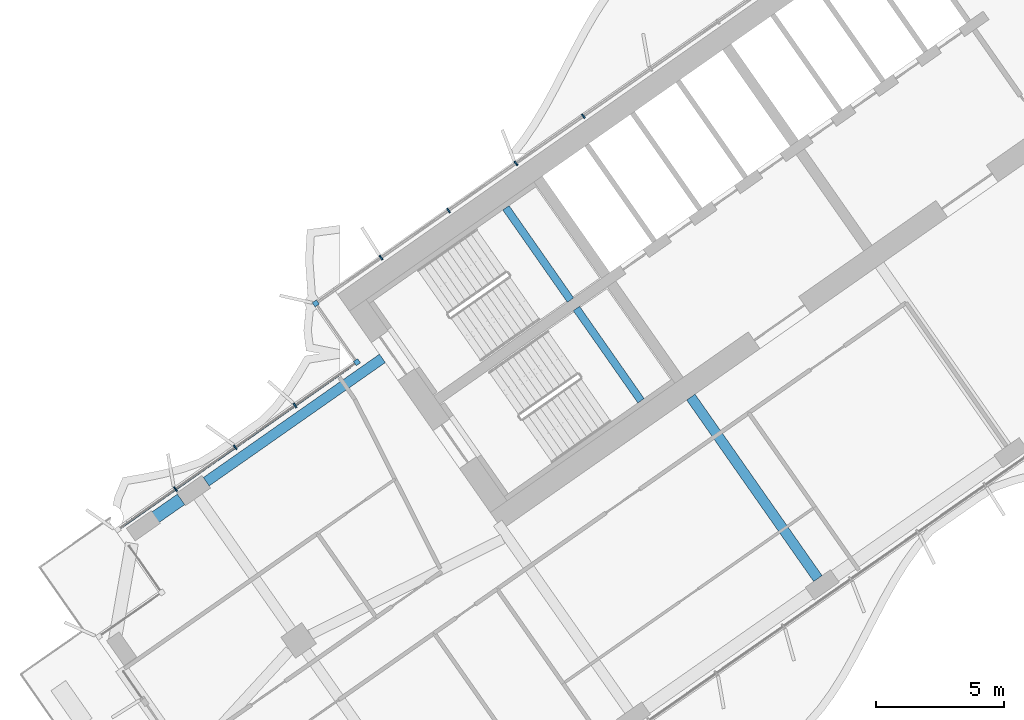
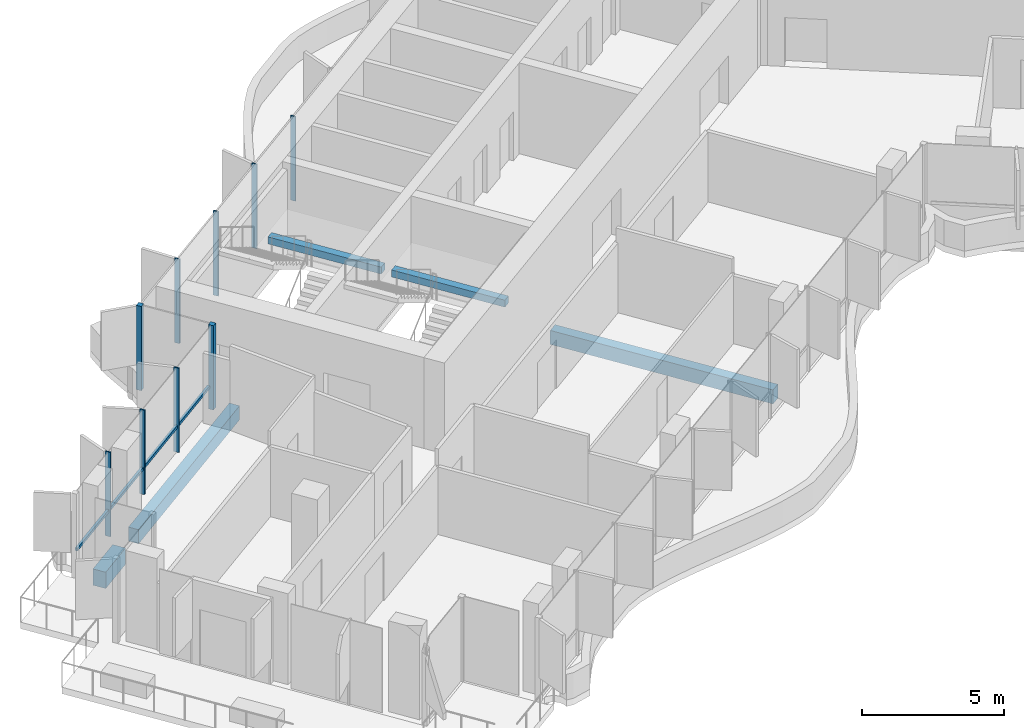
# One storey, part 4 of 24: 10 members, 5 beams, 2 elements without a shape of their own.
"""IFC4 building model written with IfcOpenShell, lengths in metres."""

from ifc_helpers import new_model, si_unit, direction, frame, origin, origin_2d, place, context, subcontext, project, spatial, rectangle, extrude, material, material_profile, profile_set, type_object, element, aggregate, save


model = new_model("IFC4")

# Units and contexts
model_context = context("Model", 3, precision=1e-05, world=origin(), true_north=direction((0.0, 1.0)))
body_context = subcontext(model_context, "Body", "Model", "MODEL_VIEW")
ifc_project = project(units=[si_unit("LENGTHUNIT", "METRE"), si_unit("AREAUNIT", "SQUARE_METRE"), si_unit("VOLUMEUNIT", "CUBIC_METRE"), si_unit("PLANEANGLEUNIT", "RADIAN"), si_unit("MASSUNIT", "GRAM", prefix="KILO")], contexts=[model_context])

# Site, building, storey
site_placement = place(None, origin())
site = spatial("IfcSite", under=ifc_project, at=site_placement, CompositionType="ELEMENT")
building_placement = place(site_placement, origin())
building = spatial("IfcBuilding", under=site, at=building_placement, Name="Tel Ilan Convention Tower", CompositionType="ELEMENT")
storey_placement = place(building_placement, frame((0.0, 0.0, 167.10009765625)))
storey = spatial("IfcBuildingStorey", under=building, at=storey_placement, Name="L38", CompositionType="ELEMENT", Elevation=167.10009765625)

# Beams
ifc_material_1 = material(Name="Concrete C40/50", Category="concrete")
ifc_material_profile_1 = material_profile(ifc_material_1, rectangle(XDim=0.39990234375, YDim=0.60009765625, at=origin_2d()), Name="RC 400x600")
ifc_profile_set_1 = profile_set([ifc_material_profile_1], Name="Concrete C40/50")
beam_type_1 = type_object("IfcBeamType", Name="Beam RC 400x600 Concrete C40/50", PredefinedType="BEAM", material=ifc_profile_set_1)
beam_1_placement = place(storey_placement, frame((-33.09912109375, -14.44775390625, -0.580078125), z_axis=(0.819147254605, 0.573583276668, 0.0), x_axis=(-0.573583276668, 0.819147254605, 0.0)))
element("IfcBeam", 1, at=beam_1_placement, inside=storey, type_object=beam_type_1, Name="L38 beam W-W-B4-core", PredefinedType="BEAM", context=body_context, shape_type="SweptSolid", body=[
    extrude(rectangle(XDim=0.39990234375, YDim=0.60009765625, at=origin_2d()), origin(), (0.0, 0.0, 1.0), 8.400146484375),
])
beam_2_placement = place(storey_placement, frame((-9.209716796875, -18.229248046875, -0.580078125), z_axis=(-0.573574099654, 0.819153680457, 0.0), x_axis=(-0.819153680457, -0.573574099654, 0.0)))
element("IfcBeam", 2, at=beam_2_placement, inside=storey, type_object=beam_type_1, Name="L38 beam W-W-F2-core", PredefinedType="BEAM", context=body_context, shape_type="SweptSolid", body=[
    extrude(rectangle(XDim=0.39990234375, YDim=0.60009765625, at=origin_2d()), origin(), (0.0, 0.0, 1.0), 8.64990234375),
])
ifc_material_2 = material(Name="Concrete C40/50", Category="concrete")
ifc_material_profile_2 = material_profile(ifc_material_2, rectangle(XDim=0.5, YDim=0.699951171875, at=origin_2d()), Name="RC 500x700")
ifc_profile_set_2 = profile_set([ifc_material_profile_2], Name="Concrete C40/50")
beam_type_2 = type_object("IfcBeamType", Name="Beam RC 500x700 Concrete C40/50", PredefinedType="BEAM", material=ifc_profile_set_2)
beam_3_placement = place(storey_placement, frame((-35.435546875, -16.083740234375, -0.630126953125), z_axis=(0.819148614275, 0.573581334887, 0.0), x_axis=(-0.573581334887, 0.819148614275, 0.0)))
element("IfcBeam", 3, at=beam_3_placement, inside=storey, type_object=beam_type_2, Name="L38 beam W-W-BC-W-B4", PredefinedType="BEAM", context=body_context, shape_type="SweptSolid", body=[
    extrude(rectangle(XDim=0.5, YDim=0.699951171875, at=origin_2d()), origin(), (0.0, 0.0, 1.0), 1.65234375),
])

# Curtain wall, members
ifc_material_3 = material(Name="Aluminium, bronze anodised", Category="aluminium")
curtain_wall_type_1 = type_object("IfcCurtainWallType", Name="CW2 STICK CURTAIN WALL, SPANDREL PANELS", PredefinedType="NOTDEFINED", material=ifc_material_3)
curtain_wall_1_placement = place(storey_placement, origin())
curtain_wall_1 = element("IfcCurtainWall", 4, at=curtain_wall_1_placement, inside=storey, type_object=curtain_wall_type_1, Name="Curtain wall CW2-30.01", PredefinedType="NOTDEFINED")
ifc_material_4 = material(Name="Aluminium, bronze anodised", Category="aluminium")
ifc_material_profile_3 = material_profile(ifc_material_4, rectangle(XDim=0.199951171875, YDim=0.199951171875, at=origin_2d()), Name="CW CORNER MULLION 200x200")
ifc_profile_set_3 = profile_set([ifc_material_profile_3], Name="Aluminium, bronze anodised")
member_type_1 = type_object("IfcMemberType", Name="CW CORNER MULLION 200x200", PredefinedType="MULLION", material=ifc_profile_set_3)
member_1_placement = place(storey_placement, frame((-28.819580078125, -7.483642578125, 0.0), z_axis=(0.0, 0.0, 1.0), x_axis=(-0.819152044289, -0.573576436351, 0.0)))
member_1 = element("IfcMember", 5, at=member_1_placement, type_object=member_type_1, Name="Corner mullion", PredefinedType="MULLION", context=body_context, shape_type="SweptSolid", body=[
    extrude(rectangle(XDim=0.199951171875, YDim=0.199951171875, at=origin_2d()), origin(), (0.0, 0.0, 1.0), 3.619873046875),
])
member_2_placement = place(storey_placement, frame((-27.213623046875, -9.77734375, 0.0), z_axis=(0.0, 0.0, 1.0), x_axis=(0.573576436351, -0.819152044289, 0.0)))
member_2 = element("IfcMember", 6, at=member_2_placement, type_object=member_type_1, Name="Corner mullion", PredefinedType="MULLION", context=body_context, shape_type="SweptSolid", body=[
    extrude(rectangle(XDim=0.199951171875, YDim=0.199951171875, at=origin_2d()), origin(), (0.0, 0.0, 1.0), 3.619873046875),
])
ifc_material_5 = material(Name="Aluminium, bronze anodised", Category="aluminium")
ifc_material_profile_4 = material_profile(ifc_material_5, rectangle(XDim=0.06005859375, YDim=0.199951171875, at=origin_2d()), Name="CW MULLION 60x200")
ifc_profile_set_4 = profile_set([ifc_material_profile_4], Name="Aluminium, bronze anodised")
member_type_2 = type_object("IfcMemberType", Name="CW MULLION 60x200", PredefinedType="MULLION", material=ifc_profile_set_4)
member_3_placement = place(storey_placement, frame((-18.37109375, -0.16748046875, 0.0), z_axis=(0.0, 0.0, 1.0), x_axis=(-0.819152044289, -0.573576436351, 0.0)))
member_3 = element("IfcMember", 7, at=member_3_placement, type_object=member_type_2, Name="Mullion", PredefinedType="MULLION", context=body_context, shape_type="SweptSolid", body=[
    extrude(rectangle(XDim=0.06005859375, YDim=0.199951171875, at=origin_2d()), origin(), (0.0, 0.0, 1.0), 3.619873046875),
])
member_4_placement = place(storey_placement, frame((-21.003662109375, -2.0107421875, 0.0), z_axis=(0.0, 0.0, 1.0), x_axis=(-0.819152044289, -0.573576436351, 0.0)))
member_4 = element("IfcMember", 8, at=member_4_placement, type_object=member_type_2, Name="Mullion", PredefinedType="MULLION", context=body_context, shape_type="SweptSolid", body=[
    extrude(rectangle(XDim=0.06005859375, YDim=0.199951171875, at=origin_2d()), origin(), (0.0, 0.0, 1.0), 3.619873046875),
])
member_5_placement = place(storey_placement, frame((-23.63623046875, -3.854248046875, 0.0), z_axis=(0.0, 0.0, 1.0), x_axis=(-0.819152044289, -0.573576436351, 0.0)))
member_5 = element("IfcMember", 9, at=member_5_placement, type_object=member_type_2, Name="Mullion", PredefinedType="MULLION", context=body_context, shape_type="SweptSolid", body=[
    extrude(rectangle(XDim=0.06005859375, YDim=0.199951171875, at=origin_2d()), origin(), (0.0, 0.0, 1.0), 3.619873046875),
])
member_6_placement = place(storey_placement, frame((-26.268798828125, -5.697509765625, 0.0), z_axis=(0.0, 0.0, 1.0), x_axis=(-0.819152044289, -0.573576436351, 0.0)))
member_6 = element("IfcMember", 10, at=member_6_placement, type_object=member_type_2, Name="Mullion", PredefinedType="MULLION", context=body_context, shape_type="SweptSolid", body=[
    extrude(rectangle(XDim=0.06005859375, YDim=0.199951171875, at=origin_2d()), origin(), (0.0, 0.0, 1.0), 3.619873046875),
])
aggregate(curtain_wall_1, [member_3, member_4, member_5, member_6, member_1, member_2])

ifc_material_6 = material(Name="Aluminium, bronze anodised", Category="aluminium")
curtain_wall_type_2 = type_object("IfcCurtainWallType", Name="CW4 STICK CURTAIN WALL, OFFICE TINTED GLASS", PredefinedType="NOTDEFINED", material=ifc_material_6)
curtain_wall_2_placement = place(storey_placement, origin())
curtain_wall_2 = element("IfcCurtainWall", 11, at=curtain_wall_2_placement, inside=storey, type_object=curtain_wall_type_2, Name="Curtain wall CW4-30.02", PredefinedType="NOTDEFINED")
member_7_placement = place(storey_placement, frame((-29.630126953125, -11.46923828125, 0.0), z_axis=(0.0, 0.0, 1.0), x_axis=(-0.819152044289, -0.573576436351, 0.0)))
member_7 = element("IfcMember", 12, at=member_7_placement, type_object=member_type_2, Name="Mullion", PredefinedType="MULLION", context=body_context, shape_type="SweptSolid", body=[
    extrude(rectangle(XDim=0.06005859375, YDim=0.199951171875, at=origin_2d()), origin(), (0.0, 0.0, 1.0), 3.619873046875),
])
member_8_placement = place(storey_placement, frame((-31.964599609375, -13.10400390625, 0.0), z_axis=(0.0, 0.0, 1.0), x_axis=(-0.819152044289, -0.573576436351, 0.0)))
member_8 = element("IfcMember", 13, at=member_8_placement, type_object=member_type_2, Name="Mullion", PredefinedType="MULLION", context=body_context, shape_type="SweptSolid", body=[
    extrude(rectangle(XDim=0.06005859375, YDim=0.199951171875, at=origin_2d()), origin(), (0.0, 0.0, 1.0), 3.619873046875),
])
member_9_placement = place(storey_placement, frame((-34.299072265625, -14.73876953125, 0.0), z_axis=(0.0, 0.0, 1.0), x_axis=(-0.819152044289, -0.573576436351, 0.0)))
member_9 = element("IfcMember", 14, at=member_9_placement, type_object=member_type_2, Name="Mullion", PredefinedType="MULLION", context=body_context, shape_type="SweptSolid", body=[
    extrude(rectangle(XDim=0.06005859375, YDim=0.199951171875, at=origin_2d()), origin(), (0.0, 0.0, 1.0), 3.619873046875),
])
ifc_material_7 = material(Name="Aluminium, bronze anodised", Category="aluminium")
ifc_material_profile_5 = material_profile(ifc_material_7, rectangle(XDim=0.10009765625, YDim=0.1201171875, at=origin_2d()), Name="CW TRANSOM 100x120")
ifc_profile_set_5 = profile_set([ifc_material_profile_5], Name="Aluminium, bronze anodised")
member_type_3 = type_object("IfcMemberType", Name="CW TRANSOM 100x120", PredefinedType="USERDEFINED", material=ifc_profile_set_5)
member_10_placement = place(storey_placement, frame((-27.459228515625, -9.94921875, 1.099853515625), z_axis=(-0.819154753687, -0.57357256691, 0.0), x_axis=(0.57357256691, -0.819154753687, 0.0)))
member_10 = element("IfcMember", 15, at=member_10_placement, type_object=member_type_3, Name="Transom", ObjectType="TRANSOM", PredefinedType="USERDEFINED", context=body_context, shape_type="SweptSolid", body=[
    extrude(rectangle(XDim=0.10009765625, YDim=0.1201171875, at=origin_2d()), origin(), (0.0, 0.0, 1.0), 11.0),
])
aggregate(curtain_wall_2, [member_7, member_8, member_9, member_10])

# Beams
ifc_material_8 = material(Name="Concrete C40/50", Category="concrete")
ifc_material_profile_6 = material_profile(ifc_material_8, rectangle(XDim=0.300048828125, YDim=0.300048828125, at=origin_2d()), Name="RC 300x300")
ifc_profile_set_6 = profile_set([ifc_material_profile_6], Name="Concrete C40/50")
beam_type_3 = type_object("IfcBeamType", Name="Landing Beam RC 300x300 Concrete C40/50", PredefinedType="BEAM", material=ifc_profile_set_6)
beam_4_placement = place(storey_placement, frame((-18.870361328125, -7.353515625, 1.599853515625), z_axis=(-0.57354426506, 0.819174569928, 0.0), x_axis=(-0.819174569928, -0.57354426506, 0.0)))
element("IfcBeam", 16, at=beam_4_placement, inside=storey, type_object=beam_type_3, Name="S1 landing beam L38.1", PredefinedType="BEAM", context=body_context, shape_type="SweptSolid", body=[
    extrude(rectangle(XDim=0.300048828125, YDim=0.300048828125, at=origin_2d()), origin(), (0.0, 0.0, 1.0), 4.400146484375),
])
beam_5_placement = place(storey_placement, frame((-16.1171875, -11.285400390625, 1.599853515625), z_axis=(-0.573570334442, 0.819156316858, 0.0), x_axis=(-0.819156316858, -0.573570334442, 0.0)))
element("IfcBeam", 17, at=beam_5_placement, inside=storey, type_object=beam_type_3, Name="S2 landing beam L38.1", PredefinedType="BEAM", context=body_context, shape_type="SweptSolid", body=[
    extrude(rectangle(XDim=0.300048828125, YDim=0.300048828125, at=origin_2d()), origin(), (0.0, 0.0, 1.0), 4.39990234375),
])

save(model, "model.ifc")
